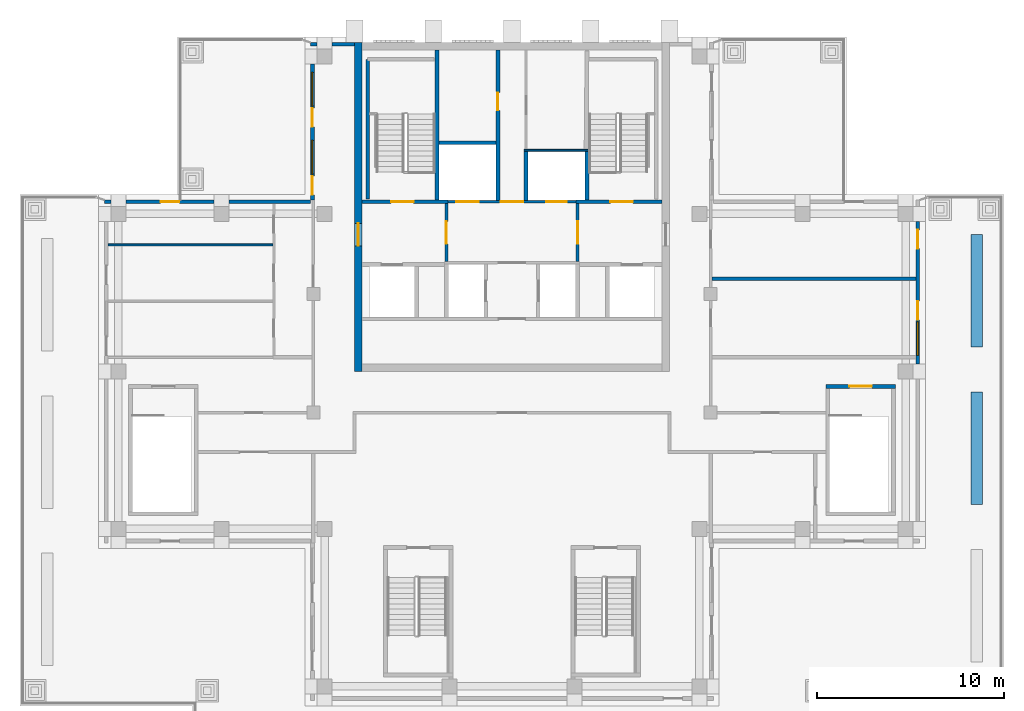
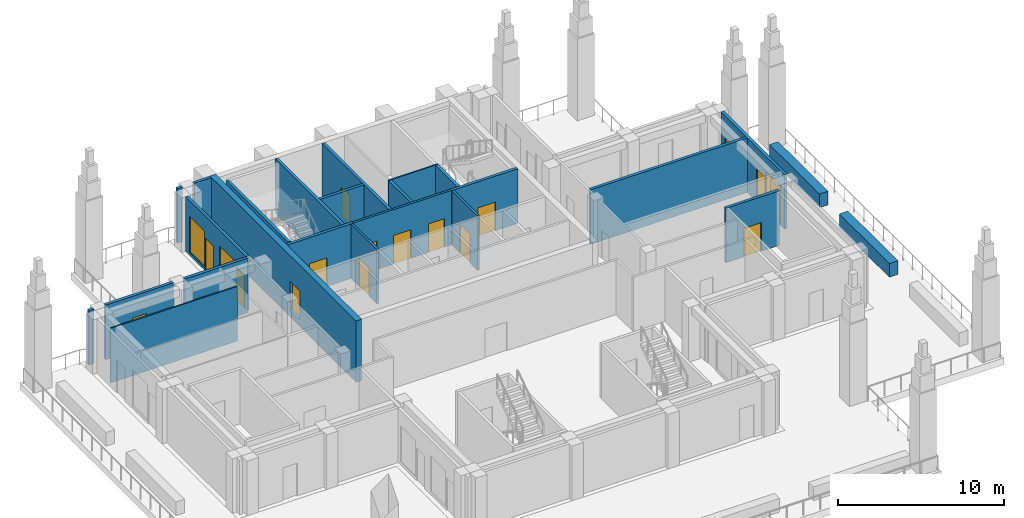
# One storey, part 4 of 10: 25 walls, 15 doors, 3 windows, 18 openings.
"""IFC4 building model written with IfcOpenShell, lengths in metres."""

from ifc_helpers import new_model, si_unit, direction, frame, frame_2d, origin, place, context, subcontext, project, spatial, rectangle, extrude, material, layer, layer_set, type_object, element, fill, save


model = new_model("IFC4")

# Units and contexts
model_context = context("Model", 3, precision=1e-05, world=origin(), true_north=direction((0.0, 1.0)))
body_context = subcontext(model_context, "Body", "Model", "MODEL_VIEW")
ifc_project = project(units=[si_unit("LENGTHUNIT", "METRE"), si_unit("AREAUNIT", "SQUARE_METRE"), si_unit("VOLUMEUNIT", "CUBIC_METRE"), si_unit("PLANEANGLEUNIT", "RADIAN"), si_unit("MASSUNIT", "GRAM", prefix="KILO")], contexts=[model_context])

# Site, building, storey
site_placement = place(None, origin())
site = spatial("IfcSite", under=ifc_project, at=site_placement, CompositionType="ELEMENT")
building_placement = place(site_placement, origin())
building = spatial("IfcBuilding", under=site, at=building_placement, Name="Vermilion Ogive Tower", CompositionType="ELEMENT")
storey_placement = place(building_placement, frame((0.0, 0.0, 269.35009765625)))
storey = spatial("IfcBuildingStorey", under=building, at=storey_placement, Name="L71", CompositionType="ELEMENT", Elevation=269.35009765625)

# Wall, opening, door
ifc_material_1 = material(Name="Concrete B60", Category="concrete")
ifc_layer_1 = layer(ifc_material_1, 0.39990234375)
ifc_layer_set_1 = layer_set([ifc_layer_1], Name="Core wall 400 B60")
wall_type_1 = type_object("IfcWallType", Name="Core wall 400 B60", PredefinedType="SHEAR", material=ifc_layer_set_1)
wall_1_placement = place(storey_placement, frame((-8.199951171875, 4.199951171875, -0.5), z_axis=(0.0, 0.0, 1.0), x_axis=(0.0, 1.0, 0.0)))
wall_1 = element("IfcWall", 1, at=wall_1_placement, inside=storey, type_object=wall_type_1, Name="L71-CORE-W", PredefinedType="SHEAR", context=body_context, shape_type="SweptSolid", body=[
    extrude(rectangle(XDim=17.550048828125, YDim=0.39990234375, at=frame_2d((8.77490234375, 0.0))), origin(), (0.0, 0.0, 1.0), 4.5),
])
opening_1_placement = place(wall_1_placement, frame((6.699951171875, 0.0, 0.5)))
opening_1 = element("IfcOpeningElement", 2, at=opening_1_placement, cuts=wall_1, Name="Opening DAZ001", PredefinedType="OPENING", context=body_context, shape_type="SweptSolid", body=[
    extrude(rectangle(XDim=1.199951171875, YDim=2.10009765625, at=frame_2d((0.60009765625, 1.050048828125))), frame((0.0, 0.2099609375, 0.0), z_axis=(0.0, -1.0, 0.0), x_axis=(1.0, 0.0, 0.0)), (0.0, 0.0, 1.0), 0.419921875),
])
ifc_material_2 = material(Name="Timber door leaf", Category="wood")
door_type_1 = type_object("IfcDoorType", Name="Link door 1200 x 2100 FD60S", OperationType="SINGLE_SWING_LEFT", PredefinedType="DOOR", material=ifc_material_2)
door_1_placement = place(opening_1_placement, origin())
door_1 = element("IfcDoor", 3, at=door_1_placement, inside=storey, type_object=door_type_1, Name="L71-CK-XD1", OperationType="SINGLE_SWING_LEFT", OverallHeight=2.10009765625, OverallWidth=1.199951171875, PredefinedType="DOOR", context=body_context, shape_type="SweptSolid", body=[
    extrude(rectangle(XDim=1.199951171875, YDim=2.10009765625, at=frame_2d((0.60009765625, 1.050048828125))), frame((0.0, 0.02490234375, 0.0), z_axis=(0.0, -1.0, 0.0), x_axis=(1.0, 0.0, 0.0)), (0.0, 0.0, 1.0), 0.050048828125),
])
fill(opening_1, door_1)

# Walls
ifc_material_3 = material(Name="Gypsum board partition on steel studs", Category="steel")
ifc_layer_2 = layer(ifc_material_3, 0.10009765625)
ifc_layer_set_2 = layer_set([ifc_layer_2], Name="Partition 100 bath")
wall_type_2 = type_object("IfcWallType", Name="Partition 100 bath", PredefinedType="PARTITIONING", material=ifc_layer_set_2)
wall_2_placement = place(storey_placement, frame((-21.550048828125, 10.949951171875, 0.0), z_axis=(0.0, 0.0, 1.0), x_axis=(1.0, 0.0, 0.0)))
element("IfcWall", 4, at=wall_2_placement, inside=storey, type_object=wall_type_2, Name="L71-FS-W-W011", PredefinedType="PARTITIONING", context=body_context, shape_type="SweptSolid", body=[
    extrude(rectangle(XDim=8.800048828125, YDim=0.10009765625, at=frame_2d((4.39990234375, 0.0))), origin(), (0.0, 0.0, 1.0), 4.0),
])
wall_3_placement = place(storey_placement, frame((0.64990234375, 16.0, 0.0), z_axis=(0.0, 0.0, 1.0), x_axis=(1.0, 0.0, 0.0)))
element("IfcWall", 5, at=wall_3_placement, inside=storey, type_object=wall_type_2, Name="L71-CK-W-W008", PredefinedType="PARTITIONING", context=body_context, shape_type="SweptSolid", body=[
    extrude(rectangle(XDim=3.4501953125, YDim=0.10009765625, at=frame_2d((1.72509765625, 0.0))), origin(), (0.0, 0.0, 1.0), 4.0),
])

# Wall, openings, doors
ifc_material_4 = material(Name="Gypsum board partition on steel studs", Category="steel")
ifc_layer_3 = layer(ifc_material_4, 0.14990234375)
ifc_layer_set_3 = layer_set([ifc_layer_3], Name="Partition 150 corridor")
wall_type_3 = type_object("IfcWallType", Name="Partition 150 corridor", PredefinedType="PARTITIONING", material=ifc_layer_set_3)
wall_4_placement = place(storey_placement, frame((-3.574951171875, 13.25, 0.0), z_axis=(0.0, 0.0, 1.0), x_axis=(1.0, 0.0, 0.0)))
wall_4 = element("IfcWall", 6, at=wall_4_placement, inside=storey, type_object=wall_type_3, Name="L71-CK-W-W006", PredefinedType="PARTITIONING", context=body_context, shape_type="SweptSolid", body=[
    extrude(rectangle(XDim=7.14990234375, YDim=0.14990234375, at=frame_2d((3.574951171875, 0.0))), origin(), (0.0, 0.0, 1.0), 4.0),
])
opening_2_placement = place(wall_4_placement, frame((0.599853515625, 0.0, 0.0)))
opening_2 = element("IfcOpeningElement", 7, at=opening_2_placement, cuts=wall_4, Name="Opening DAE015", PredefinedType="OPENING", context=body_context, shape_type="SweptSolid", body=[
    extrude(rectangle(XDim=1.199951171875, YDim=2.10009765625, at=frame_2d((0.60009765625, 1.050048828125))), frame((0.0, 0.0849609375, 0.0), z_axis=(0.0, -1.0, 0.0), x_axis=(1.0, 0.0, 0.0)), (0.0, 0.0, 1.0), 0.169921875),
])
opening_3_placement = place(wall_4_placement, frame((5.39990234375, 0.0, 0.0)))
opening_3 = element("IfcOpeningElement", 8, at=opening_3_placement, cuts=wall_4, Name="Opening DAE014", PredefinedType="OPENING", context=body_context, shape_type="SweptSolid", body=[
    extrude(rectangle(XDim=1.10009765625, YDim=2.10009765625, at=frame_2d((0.550048828125, 1.050048828125))), frame((0.0, 0.0849609375, 0.0), z_axis=(0.0, -1.0, 0.0), x_axis=(1.0, 0.0, 0.0)), (0.0, 0.0, 1.0), 0.169921875),
])
opening_4_placement = place(wall_4_placement, frame((2.974853515625, 0.0, 0.0)))
opening_4 = element("IfcOpeningElement", 9, at=opening_4_placement, cuts=wall_4, Name="Opening DAE005", PredefinedType="OPENING", context=body_context, shape_type="SweptSolid", body=[
    extrude(rectangle(XDim=1.199951171875, YDim=2.10009765625, at=frame_2d((0.60009765625, 1.050048828125))), frame((0.0, 0.0849609375, 0.0), z_axis=(0.0, -1.0, 0.0), x_axis=(1.0, 0.0, 0.0)), (0.0, 0.0, 1.0), 0.169921875),
])
ifc_material_5 = material(Name="Stainless steel", Category="steel")
door_type_2 = type_object("IfcDoorType", Name="Lift landing door 1100 x 2100", OperationType="SLIDING_TO_LEFT", PredefinedType="DOOR", material=ifc_material_5)
door_2_placement = place(opening_3_placement, origin())
door_2 = element("IfcDoor", 10, at=door_2_placement, inside=storey, type_object=door_type_2, Name="L71-CK-D-D010", OperationType="SLIDING_TO_LEFT", OverallHeight=2.10009765625, OverallWidth=1.10009765625, PredefinedType="DOOR", context=body_context, shape_type="SweptSolid", body=[
    extrude(rectangle(XDim=1.10009765625, YDim=2.10009765625, at=frame_2d((0.550048828125, 1.050048828125))), frame((0.0, 0.02490234375, 0.0), z_axis=(0.0, -1.0, 0.0), x_axis=(1.0, 0.0, 0.0)), (0.0, 0.0, 1.0), 0.050048828125),
])
fill(opening_3, door_2)
ifc_material_6 = material(Name="Stainless steel", Category="steel")
door_type_3 = type_object("IfcDoorType", Name="Lift landing door 1200 x 2100", OperationType="SLIDING_TO_LEFT", PredefinedType="DOOR", material=ifc_material_6)
door_3_placement = place(opening_2_placement, origin())
door_3 = element("IfcDoor", 11, at=door_3_placement, inside=storey, type_object=door_type_3, Name="L71-CK-D-D009", OperationType="SLIDING_TO_RIGHT", OverallHeight=2.10009765625, OverallWidth=1.199951171875, PredefinedType="DOOR", context=body_context, shape_type="SweptSolid", body=[
    extrude(rectangle(XDim=1.199951171875, YDim=2.10009765625, at=frame_2d((0.60009765625, 1.050048828125))), frame((0.0, 0.02490234375, 0.0), z_axis=(0.0, -1.0, 0.0), x_axis=(1.0, 0.0, 0.0)), (0.0, 0.0, 1.0), 0.050048828125),
])
fill(opening_2, door_3)
ifc_material_7 = material(Name="Timber door leaf", Category="wood")
door_type_4 = type_object("IfcDoorType", Name="Service door 1200 x 2100 FD60", OperationType="SINGLE_SWING_LEFT", PredefinedType="DOOR", material=ifc_material_7)
door_4_placement = place(opening_4_placement, origin())
door_4 = element("IfcDoor", 12, at=door_4_placement, inside=storey, type_object=door_type_4, Name="L71-CK-D-D011", OperationType="SINGLE_SWING_RIGHT", OverallHeight=2.10009765625, OverallWidth=1.199951171875, PredefinedType="DOOR", context=body_context, shape_type="SweptSolid", body=[
    extrude(rectangle(XDim=1.199951171875, YDim=2.10009765625, at=frame_2d((0.60009765625, 1.050048828125))), frame((0.0, 0.02490234375, 0.0), z_axis=(0.0, -1.0, 0.0), x_axis=(1.0, 0.0, 0.0)), (0.0, 0.0, 1.0), 0.050048828125),
])
fill(opening_4, door_4)

# Wall, opening, door
wall_5_placement = place(storey_placement, frame((-3.5, 10.074951171875, 0.0), z_axis=(0.0, 0.0, 1.0), x_axis=(0.0, 1.0, 0.0)))
wall_5 = element("IfcWall", 13, at=wall_5_placement, inside=storey, type_object=wall_type_3, Name="L71-CK-W-W013", PredefinedType="PARTITIONING", context=body_context, shape_type="SweptSolid", body=[
    extrude(rectangle(XDim=3.074951171875, YDim=0.14990234375, at=frame_2d((1.53759765625, 0.0))), origin(), (0.0, 0.0, 1.0), 4.0),
])
opening_5_placement = place(wall_5_placement, frame((0.925048828125, 0.0, 0.0)))
opening_5 = element("IfcOpeningElement", 14, at=opening_5_placement, cuts=wall_5, Name="Opening DAE001", PredefinedType="OPENING", context=body_context, shape_type="SweptSolid", body=[
    extrude(rectangle(XDim=1.199951171875, YDim=2.10009765625, at=frame_2d((0.60009765625, 1.050048828125))), frame((0.0, 0.0849609375, 0.0), z_axis=(0.0, -1.0, 0.0), x_axis=(1.0, 0.0, 0.0)), (0.0, 0.0, 1.0), 0.169921875),
])
ifc_material_8 = material(Name="Timber door leaf", Category="wood")
door_type_5 = type_object("IfcDoorType", Name="Lobby door 1200 x 2100 FD60S", OperationType="SINGLE_SWING_LEFT", PredefinedType="DOOR", material=ifc_material_8)
door_5_placement = place(opening_5_placement, origin())
door_5 = element("IfcDoor", 15, at=door_5_placement, inside=storey, type_object=door_type_5, Name="L71-CK-D-D014", OperationType="SINGLE_SWING_RIGHT", OverallHeight=2.10009765625, OverallWidth=1.199951171875, PredefinedType="DOOR", context=body_context, shape_type="SweptSolid", body=[
    extrude(rectangle(XDim=1.199951171875, YDim=2.10009765625, at=frame_2d((0.60009765625, 1.050048828125))), frame((0.0, 0.02490234375, 0.0), z_axis=(0.0, -1.0, 0.0), x_axis=(1.0, 0.0, 0.0)), (0.0, 0.0, 1.0), 0.050048828125),
])
fill(opening_5, door_5)

wall_6_placement = place(storey_placement, frame((3.5, 10.074951171875, 0.0), z_axis=(0.0, 0.0, 1.0), x_axis=(0.0, 1.0, 0.0)))
wall_6 = element("IfcWall", 16, at=wall_6_placement, inside=storey, type_object=wall_type_3, Name="L71-CK-W-W020", PredefinedType="PARTITIONING", context=body_context, shape_type="SweptSolid", body=[
    extrude(rectangle(XDim=3.074951171875, YDim=0.14990234375, at=frame_2d((1.53759765625, 0.0))), origin(), (0.0, 0.0, 1.0), 4.0),
])
opening_6_placement = place(wall_6_placement, frame((0.925048828125, 0.0, 0.0)))
opening_6 = element("IfcOpeningElement", 17, at=opening_6_placement, cuts=wall_6, Name="Opening DAE002", PredefinedType="OPENING", context=body_context, shape_type="SweptSolid", body=[
    extrude(rectangle(XDim=1.199951171875, YDim=2.10009765625, at=frame_2d((0.60009765625, 1.050048828125))), frame((0.0, 0.0849609375, 0.0), z_axis=(0.0, -1.0, 0.0), x_axis=(1.0, 0.0, 0.0)), (0.0, 0.0, 1.0), 0.169921875),
])
door_6_placement = place(opening_6_placement, origin())
door_6 = element("IfcDoor", 18, at=door_6_placement, inside=storey, type_object=door_type_5, Name="L71-CK-D-D015", OperationType="SINGLE_SWING_LEFT", OverallHeight=2.10009765625, OverallWidth=1.199951171875, PredefinedType="DOOR", context=body_context, shape_type="SweptSolid", body=[
    extrude(rectangle(XDim=1.199951171875, YDim=2.10009765625, at=frame_2d((0.60009765625, 1.050048828125))), frame((0.0, 0.02490234375, 0.0), z_axis=(0.0, -1.0, 0.0), x_axis=(1.0, 0.0, 0.0)), (0.0, 0.0, 1.0), 0.050048828125),
])
fill(opening_6, door_6)

# Walls
ifc_material_9 = material(Name="Gypsum board partition on steel studs", Category="steel")
ifc_layer_4 = layer(ifc_material_9, 0.199951171875)
ifc_layer_set_4 = layer_set([ifc_layer_4], Name="Partition 200 party")
wall_type_4 = type_object("IfcWallType", Name="Partition 200 party", PredefinedType="PARTITIONING", material=ifc_layer_set_4)
wall_7_placement = place(storey_placement, frame((10.675048828125, 9.14990234375, 0.0), z_axis=(0.0, 0.0, 1.0), x_axis=(1.0, 0.0, 0.0)))
element("IfcWall", 19, at=wall_7_placement, inside=storey, type_object=wall_type_4, Name="L71-FS-W-W010", PredefinedType="PARTITIONING", context=body_context, shape_type="SweptSolid", body=[
    extrude(rectangle(XDim=10.875, YDim=0.199951171875, at=frame_2d((5.4375, 0.0))), origin(), (0.0, 0.0, 1.0), 4.0),
])
wall_8_placement = place(storey_placement, frame((-3.89990234375, 16.39990234375, 0.0), z_axis=(0.0, 0.0, 1.0), x_axis=(1.0, 0.0, 0.0)))
element("IfcWall", 20, at=wall_8_placement, inside=storey, type_object=wall_type_4, Name="L71-CK-W-W009", PredefinedType="PARTITIONING", context=body_context, shape_type="SweptSolid", body=[
    extrude(rectangle(XDim=3.0498046875, YDim=0.199951171875, at=frame_2d((1.52490234375, 0.0))), origin(), (0.0, 0.0, 1.0), 4.0),
])

# Wall, opening, door
wall_9_placement = place(storey_placement, frame((-0.75, 13.324951171875, 0.0), z_axis=(0.0, 0.0, 1.0), x_axis=(0.0, 1.0, 0.0)))
wall_9 = element("IfcWall", 21, at=wall_9_placement, inside=storey, type_object=wall_type_4, Name="L71-CK-W-W015", PredefinedType="PARTITIONING", context=body_context, shape_type="SweptSolid", body=[
    extrude(rectangle(XDim=8.024169921875, YDim=0.199951171875, at=frame_2d((4.01220703125, 0.0))), origin(), (0.0, 0.0, 1.0), 4.0),
])
opening_7_placement = place(wall_9_placement, frame((4.800048828125, 0.0, 0.0)))
opening_7 = element("IfcOpeningElement", 22, at=opening_7_placement, cuts=wall_9, Name="Opening DAE006", PredefinedType="OPENING", context=body_context, shape_type="SweptSolid", body=[
    extrude(rectangle(XDim=0.949951171875, YDim=2.10009765625, at=frame_2d((0.47509765625, 1.050048828125))), frame((0.0, 0.10986328125, 0.0), z_axis=(0.0, -1.0, 0.0), x_axis=(1.0, 0.0, 0.0)), (0.0, 0.0, 1.0), 0.219970703125),
])
ifc_material_10 = material(Name="Timber door leaf", Category="wood")
door_type_6 = type_object("IfcDoorType", Name="Service door 950 x 2100 FD60", OperationType="SINGLE_SWING_LEFT", PredefinedType="DOOR", material=ifc_material_10)
door_7_placement = place(opening_7_placement, origin())
door_7 = element("IfcDoor", 23, at=door_7_placement, inside=storey, type_object=door_type_6, Name="L71-CK-D-D012", OperationType="SINGLE_SWING_RIGHT", OverallHeight=2.10009765625, OverallWidth=0.949951171875, PredefinedType="DOOR", context=body_context, shape_type="SweptSolid", body=[
    extrude(rectangle(XDim=0.949951171875, YDim=2.10009765625, at=frame_2d((0.47509765625, 1.050048828125))), frame((0.0, 0.02490234375, 0.0), z_axis=(0.0, -1.0, 0.0), x_axis=(1.0, 0.0, 0.0)), (0.0, 0.0, 1.0), 0.050048828125),
])
fill(opening_7, door_7)

# Wall
wall_10_placement = place(storey_placement, frame((0.75, 13.324951171875, 0.0), z_axis=(0.0, 0.0, 1.0), x_axis=(0.0, 1.0, 0.0)))
element("IfcWall", 24, at=wall_10_placement, inside=storey, type_object=wall_type_4, Name="L71-CK-W-W016", PredefinedType="PARTITIONING", context=body_context, shape_type="SweptSolid", body=[
    extrude(rectangle(XDim=2.625, YDim=0.199951171875, at=frame_2d((1.3125, 0.0))), origin(), (0.0, 0.0, 1.0), 4.0),
])

# Wall, opening, door
ifc_material_11 = material(Name="Concrete B60", Category="concrete")
ifc_layer_5 = layer(ifc_material_11, 0.199951171875)
ifc_layer_set_5 = layer_set([ifc_layer_5], Name="Stair enclosure wall 200 Concrete B60")
wall_type_5 = type_object("IfcWallType", Name="Stair enclosure wall 200 Concrete B60", PredefinedType="PARTITIONING", material=ifc_layer_set_5)
wall_11_placement = place(storey_placement, frame((16.75, 3.39990234375, 0.0), z_axis=(0.0, 0.0, 1.0), x_axis=(1.0, 0.0, 0.0)))
wall_11 = element("IfcWall", 25, at=wall_11_placement, inside=storey, type_object=wall_type_5, Name="L71-SW-ST8-N1", PredefinedType="PARTITIONING", context=body_context, shape_type="SweptSolid", body=[
    extrude(rectangle(XDim=3.699951171875, YDim=0.199951171875, at=frame_2d((1.85009765625, 0.0))), origin(), (0.0, 0.0, 1.0), 4.0),
])
opening_8_placement = place(wall_11_placement, frame((1.25, 0.0, 0.0)))
opening_8 = element("IfcOpeningElement", 26, at=opening_8_placement, cuts=wall_11, Name="Opening L71-SD8", PredefinedType="OPENING", context=body_context, shape_type="SweptSolid", body=[
    extrude(rectangle(XDim=1.199951171875, YDim=2.10009765625, at=frame_2d((0.60009765625, 1.050048828125))), frame((0.0, 0.10986328125, 0.0), z_axis=(0.0, -1.0, 0.0), x_axis=(1.0, 0.0, 0.0)), (0.0, 0.0, 1.0), 0.219970703125),
])
ifc_material_12 = material(Name="Timber door leaf", Category="wood")
door_type_7 = type_object("IfcDoorType", Name="Stair door 1200 x 2100 FD60S", OperationType="SINGLE_SWING_LEFT", PredefinedType="DOOR", material=ifc_material_12)
door_8_placement = place(opening_8_placement, origin())
door_8 = element("IfcDoor", 27, at=door_8_placement, inside=storey, type_object=door_type_7, Name="Stair door ST8", OperationType="SINGLE_SWING_LEFT", OverallHeight=2.10009765625, OverallWidth=1.199951171875, PredefinedType="DOOR", context=body_context, shape_type="SweptSolid", body=[
    extrude(rectangle(XDim=1.199951171875, YDim=2.10009765625, at=frame_2d((0.60009765625, 1.050048828125))), frame((0.0, 0.02490234375, 0.0), z_axis=(0.0, -1.0, 0.0), x_axis=(1.0, 0.0, 0.0)), (0.0, 0.0, 1.0), 0.050048828125),
])
fill(opening_8, door_8)

ifc_material_13 = material(Name="Concrete B60", Category="concrete")
ifc_layer_6 = layer(ifc_material_13, 0.199951171875)
ifc_layer_set_6 = layer_set([ifc_layer_6], Name="Stair shaft wall 200 Concrete B60")
wall_type_6 = type_object("IfcWallType", Name="Stair shaft wall 200 Concrete B60", PredefinedType="SOLIDWALL", material=ifc_layer_set_6)
wall_12_placement = place(storey_placement, frame((-7.9990234375, 13.25, 0.0), z_axis=(0.0, 0.0, 1.0), x_axis=(1.0, 0.0, 0.0)))
wall_12 = element("IfcWall", 28, at=wall_12_placement, inside=storey, type_object=wall_type_6, Name="L71-CK-W-W005", PredefinedType="SOLIDWALL", context=body_context, shape_type="SweptSolid", body=[
    extrude(rectangle(XDim=4.573974609375, YDim=0.199951171875, at=frame_2d((2.287109375, 0.0))), origin(), (0.0, 0.0, 1.0), 4.0),
])
opening_9_placement = place(wall_12_placement, frame((1.549072265625, 0.0, 0.0)))
opening_9 = element("IfcOpeningElement", 29, at=opening_9_placement, cuts=wall_12, Name="Opening DAE008", PredefinedType="OPENING", context=body_context, shape_type="SweptSolid", body=[
    extrude(rectangle(XDim=1.199951171875, YDim=2.10009765625, at=frame_2d((0.60009765625, 1.050048828125))), frame((0.0, 0.10986328125, 0.0), z_axis=(0.0, -1.0, 0.0), x_axis=(1.0, 0.0, 0.0)), (0.0, 0.0, 1.0), 0.219970703125),
])
door_9_placement = place(opening_9_placement, origin())
door_9 = element("IfcDoor", 30, at=door_9_placement, inside=storey, type_object=door_type_7, Name="L71-CK-D-D001", OperationType="SINGLE_SWING_LEFT", OverallHeight=2.10009765625, OverallWidth=1.199951171875, PredefinedType="DOOR", context=body_context, shape_type="SweptSolid", body=[
    extrude(rectangle(XDim=1.199951171875, YDim=2.10009765625, at=frame_2d((0.60009765625, 1.050048828125))), frame((0.0, 0.02490234375, 0.0), z_axis=(0.0, -1.0, 0.0), x_axis=(1.0, 0.0, 0.0)), (0.0, 0.0, 1.0), 0.050048828125),
])
fill(opening_9, door_9)

wall_13_placement = place(storey_placement, frame((3.425048828125, 13.25, 0.0), z_axis=(0.0, 0.0, 1.0), x_axis=(1.0, 0.0, 0.0)))
wall_13 = element("IfcWall", 31, at=wall_13_placement, inside=storey, type_object=wall_type_6, Name="L71-CK-W-W007", PredefinedType="SOLIDWALL", context=body_context, shape_type="SweptSolid", body=[
    extrude(rectangle(XDim=4.573974609375, YDim=0.199951171875, at=frame_2d((2.287109375, 0.0))), origin(), (0.0, 0.0, 1.0), 4.0),
])
opening_10_placement = place(wall_13_placement, frame((1.824951171875, 0.0, 0.0)))
opening_10 = element("IfcOpeningElement", 32, at=opening_10_placement, cuts=wall_13, Name="Opening DAE009", PredefinedType="OPENING", context=body_context, shape_type="SweptSolid", body=[
    extrude(rectangle(XDim=1.199951171875, YDim=2.10009765625, at=frame_2d((0.60009765625, 1.050048828125))), frame((0.0, 0.10986328125, 0.0), z_axis=(0.0, -1.0, 0.0), x_axis=(1.0, 0.0, 0.0)), (0.0, 0.0, 1.0), 0.219970703125),
])
door_10_placement = place(opening_10_placement, origin())
door_10 = element("IfcDoor", 33, at=door_10_placement, inside=storey, type_object=door_type_7, Name="L71-CK-D-D003", OperationType="SINGLE_SWING_RIGHT", OverallHeight=2.10009765625, OverallWidth=1.199951171875, PredefinedType="DOOR", context=body_context, shape_type="SweptSolid", body=[
    extrude(rectangle(XDim=1.199951171875, YDim=2.10009765625, at=frame_2d((0.60009765625, 1.050048828125))), frame((0.0, 0.02490234375, 0.0), z_axis=(0.0, -1.0, 0.0), x_axis=(1.0, 0.0, 0.0)), (0.0, 0.0, 1.0), 0.050048828125),
])
fill(opening_10, door_10)

# Walls
wall_14_placement = place(storey_placement, frame((-4.0, 13.35009765625, 0.0), z_axis=(0.0, 0.0, 1.0), x_axis=(0.0, 1.0, 0.0)))
element("IfcWall", 34, at=wall_14_placement, inside=storey, type_object=wall_type_6, Name="L71-CK-W-W011", PredefinedType="SOLIDWALL", context=body_context, shape_type="SweptSolid", body=[
    extrude(rectangle(XDim=7.9990234375, YDim=0.199951171875, at=frame_2d((3.99951171875, 0.0))), origin(), (0.0, 0.0, 1.0), 4.0),
])
wall_15_placement = place(storey_placement, frame((4.0, 13.35009765625, 0.0), z_axis=(0.0, 0.0, 1.0), x_axis=(0.0, 1.0, 0.0)))
element("IfcWall", 35, at=wall_15_placement, inside=storey, type_object=wall_type_6, Name="L71-CK-W-W021", PredefinedType="SOLIDWALL", context=body_context, shape_type="SweptSolid", body=[
    extrude(rectangle(XDim=2.599853515625, YDim=0.199951171875, at=frame_2d((1.2998046875, 0.0))), origin(), (0.0, 0.0, 1.0), 4.0),
])
wall_16_placement = place(storey_placement, frame((-7.699951171875, 13.39990234375, 0.0), z_axis=(0.0, 0.0, 1.0), x_axis=(0.0, 1.0, 0.0)))
element("IfcWall", 36, at=wall_16_placement, inside=storey, type_object=wall_type_6, Name="L71-SW-R003-W1", PredefinedType="SOLIDWALL", context=body_context, shape_type="SweptSolid", body=[
    extrude(rectangle(XDim=7.4501953125, YDim=0.199951171875, at=frame_2d((3.72509765625, 0.0))), origin(), (0.0, 0.0, 1.0), 4.0),
])
ifc_material_14 = material(Name="Concrete B40", Category="concrete")
ifc_layer_7 = layer(ifc_material_14, 0.60009765625)
ifc_layer_set_7 = layer_set([ifc_layer_7], Name="Terrace planter")
wall_type_7 = type_object("IfcWallType", Name="Terrace planter", PredefinedType="USERDEFINED", material=ifc_layer_set_7)
for number, where, z_axis, x_axis, name in (
    (37, (24.800048828125, 11.5, 0.0), (0.0, 0.0, 1.0), (0.0, -1.0, 0.0), "Terrace planter 1.1.1"),
    (38, (24.800048828125, 3.10009765625, 0.0), (0.0, 0.0, 1.0), (0.0, -1.0, 0.0), "Terrace planter 1.1.2"),
):
    element("IfcWall", number, at=place(storey_placement, frame(where, z_axis=z_axis, x_axis=x_axis)), inside=storey, type_object=wall_type_7, Name=name, ObjectType="PLANTER", PredefinedType="USERDEFINED", context=body_context, shape_type="SweptSolid", body=[
        extrude(rectangle(XDim=6.0, YDim=0.60009765625, at=frame_2d((3.0, 0.0))), origin(), (0.0, 0.0, 1.0), 1.0),
    ])

# Wall, openings, doors, window
ifc_material_15 = material(Name="Aluminium window wall framing", Category="aluminium")
ifc_layer_8 = layer(ifc_material_15, 0.199951171875)
ifc_layer_set_8 = layer_set([ifc_layer_8], Name="Window wall")
wall_type_8 = type_object("IfcWallType", Name="Window wall", PredefinedType="STANDARD", material=ifc_layer_set_8)
wall_17_placement = place(storey_placement, frame((21.64990234375, 4.60009765625, 0.0), z_axis=(0.0, 0.0, 1.0), x_axis=(0.0, 1.0, 0.0)))
wall_17 = element("IfcWall", 39, at=wall_17_placement, inside=storey, type_object=wall_type_8, Name="Window wall E2", PredefinedType="STANDARD", context=body_context, shape_type="SweptSolid", body=[
    extrude(rectangle(XDim=7.599853515625, YDim=0.199951171875, at=frame_2d((3.7998046875, 0.0))), origin(), (0.0, 0.0, 1.0), 4.0),
])
opening_11_placement = place(wall_17_placement, frame((0.449951171875, 0.0, 0.199951171875)))
opening_11 = element("IfcOpeningElement", 40, at=opening_11_placement, cuts=wall_17, Name="Opening W1-E01", PredefinedType="OPENING", context=body_context, shape_type="SweptSolid", body=[
    extrude(rectangle(XDim=1.800048828125, YDim=2.64990234375, at=frame_2d((0.89990234375, 1.324951171875))), frame((0.0, 0.10986328125, 0.0), z_axis=(0.0, -1.0, 0.0), x_axis=(1.0, 0.0, 0.0)), (0.0, 0.0, 1.0), 0.219970703125),
])
opening_12_placement = place(wall_17_placement, frame((2.35009765625, 0.0, 0.0)))
opening_12 = element("IfcOpeningElement", 41, at=opening_12_placement, cuts=wall_17, Name="Opening D1-E01", PredefinedType="OPENING", context=body_context, shape_type="SweptSolid", body=[
    extrude(rectangle(XDim=1.0, YDim=2.39990234375, at=frame_2d((0.5, 1.199951171875))), frame((0.0, 0.10986328125, 0.0), z_axis=(0.0, -1.0, 0.0), x_axis=(1.0, 0.0, 0.0)), (0.0, 0.0, 1.0), 0.219970703125),
])
opening_13_placement = place(wall_17_placement, frame((6.14990234375, 0.0, 0.0)))
opening_13 = element("IfcOpeningElement", 42, at=opening_13_placement, cuts=wall_17, Name="Opening D1-E02", PredefinedType="OPENING", context=body_context, shape_type="SweptSolid", body=[
    extrude(rectangle(XDim=1.0, YDim=2.39990234375, at=frame_2d((0.5, 1.199951171875))), frame((0.0, 0.10986328125, 0.0), z_axis=(0.0, -1.0, 0.0), x_axis=(1.0, 0.0, 0.0)), (0.0, 0.0, 1.0), 0.219970703125),
])
ifc_material_16 = material(Name="Aluminium framed glazed door", Category="aluminium")
door_type_8 = type_object("IfcDoorType", Name="Balcony door D1", OperationType="SINGLE_SWING_LEFT", PredefinedType="DOOR", material=ifc_material_16)
door_11_placement = place(opening_12_placement, origin())
door_11 = element("IfcDoor", 43, at=door_11_placement, inside=storey, type_object=door_type_8, Name="Balcony door E01", OperationType="SINGLE_SWING_LEFT", OverallHeight=2.39990234375, OverallWidth=1.0, PredefinedType="DOOR", context=body_context, shape_type="SweptSolid", body=[
    extrude(rectangle(XDim=1.0, YDim=2.39990234375, at=frame_2d((0.5, 1.199951171875))), frame((0.0, 0.02490234375, 0.0), z_axis=(0.0, -1.0, 0.0), x_axis=(1.0, 0.0, 0.0)), (0.0, 0.0, 1.0), 0.050048828125),
])
fill(opening_12, door_11)
door_12_placement = place(opening_13_placement, origin())
door_12 = element("IfcDoor", 44, at=door_12_placement, inside=storey, type_object=door_type_8, Name="Balcony door E02", OperationType="SINGLE_SWING_LEFT", OverallHeight=2.39990234375, OverallWidth=1.0, PredefinedType="DOOR", context=body_context, shape_type="SweptSolid", body=[
    extrude(rectangle(XDim=1.0, YDim=2.39990234375, at=frame_2d((0.5, 1.199951171875))), frame((0.0, 0.02490234375, 0.0), z_axis=(0.0, -1.0, 0.0), x_axis=(1.0, 0.0, 0.0)), (0.0, 0.0, 1.0), 0.050048828125),
])
fill(opening_13, door_12)
ifc_material_17 = material(Name="Aluminium framed double glazing", Category="aluminium")
window_type = type_object("IfcWindowType", Name="Guest window W1", PartitioningType="SINGLE_PANEL", PredefinedType="WINDOW", material=ifc_material_17)
window_1_placement = place(opening_11_placement, origin())
window_1 = element("IfcWindow", 45, at=window_1_placement, inside=storey, type_object=window_type, Name="Window E01", OverallHeight=2.64990234375, OverallWidth=1.800048828125, PartitioningType="SINGLE_PANEL", PredefinedType="WINDOW", context=body_context, shape_type="SweptSolid", body=[
    extrude(rectangle(XDim=1.800048828125, YDim=2.64990234375, at=frame_2d((0.89990234375, 1.324951171875))), frame((0.0, 0.030029296875, 0.0), z_axis=(0.0, -1.0, 0.0), x_axis=(1.0, 0.0, 0.0)), (0.0, 0.0, 1.0), 0.06005859375),
])
fill(opening_11, window_1)

# Walls
wall_18_placement = place(storey_placement, frame((-8.39990234375, 21.64990234375, 0.0), z_axis=(0.0, 0.0, 1.0), x_axis=(-1.0, 0.0, 0.0)))
element("IfcWall", 46, at=wall_18_placement, inside=storey, type_object=wall_type_8, Name="Window wall N21", PredefinedType="STANDARD", context=body_context, shape_type="SweptSolid", body=[
    extrude(rectangle(XDim=1.2001953125, YDim=0.199951171875, at=frame_2d((0.60009765625, 0.0))), origin(), (0.0, 0.0, 1.0), 4.0),
])
wall_19_placement = place(storey_placement, frame((-10.39990234375, 21.64990234375, 0.0), z_axis=(0.0, 0.0, 1.0), x_axis=(-1.0, 0.0, 0.0)))
element("IfcWall", 47, at=wall_19_placement, inside=storey, type_object=wall_type_8, Name="Window wall N22", PredefinedType="STANDARD", context=body_context, shape_type="SweptSolid", body=[
    extrude(rectangle(XDim=0.35009765625, YDim=0.199951171875, at=frame_2d((0.175048828125, 0.0))), origin(), (0.0, 0.0, 1.0), 4.0),
])

# Wall, openings, doors, windows
wall_20_placement = place(storey_placement, frame((-10.64990234375, 20.60009765625, 0.0), z_axis=(0.0, 0.0, 1.0), x_axis=(0.0, -1.0, 0.0)))
wall_20 = element("IfcWall", 48, at=wall_20_placement, inside=storey, type_object=wall_type_8, Name="Window wall X51", PredefinedType="STANDARD", context=body_context, shape_type="SweptSolid", body=[
    extrude(rectangle(XDim=7.25, YDim=0.199951171875, at=frame_2d((3.625, 0.0))), origin(), (0.0, 0.0, 1.0), 4.0),
])
opening_14_placement = place(wall_20_placement, frame((4.074951171875, 0.0, 0.199951171875)))
opening_14 = element("IfcOpeningElement", 49, at=opening_14_placement, cuts=wall_20, Name="Opening W1-X503", PredefinedType="OPENING", context=body_context, shape_type="SweptSolid", body=[
    extrude(rectangle(XDim=1.800048828125, YDim=2.64990234375, at=frame_2d((0.89990234375, 1.324951171875))), frame((0.0, 0.10986328125, 0.0), z_axis=(0.0, -1.0, 0.0), x_axis=(1.0, 0.0, 0.0)), (0.0, 0.0, 1.0), 0.219970703125),
])
opening_15_placement = place(wall_20_placement, frame((5.97509765625, 0.0, 0.0)))
opening_15 = element("IfcOpeningElement", 50, at=opening_15_placement, cuts=wall_20, Name="Opening D1-X503", PredefinedType="OPENING", context=body_context, shape_type="SweptSolid", body=[
    extrude(rectangle(XDim=1.0, YDim=2.39990234375, at=frame_2d((0.5, 1.199951171875))), frame((0.0, 0.10986328125, 0.0), z_axis=(0.0, -1.0, 0.0), x_axis=(1.0, 0.0, 0.0)), (0.0, 0.0, 1.0), 0.219970703125),
])
opening_16_placement = place(wall_20_placement, frame((0.449951171875, 0.0, 0.199951171875)))
opening_16 = element("IfcOpeningElement", 51, at=opening_16_placement, cuts=wall_20, Name="Opening W1-X504", PredefinedType="OPENING", context=body_context, shape_type="SweptSolid", body=[
    extrude(rectangle(XDim=1.800048828125, YDim=2.64990234375, at=frame_2d((0.89990234375, 1.324951171875))), frame((0.0, 0.10986328125, 0.0), z_axis=(0.0, -1.0, 0.0), x_axis=(1.0, 0.0, 0.0)), (0.0, 0.0, 1.0), 0.219970703125),
])
opening_17_placement = place(wall_20_placement, frame((2.35009765625, 0.0, 0.0)))
opening_17 = element("IfcOpeningElement", 52, at=opening_17_placement, cuts=wall_20, Name="Opening D1-X504", PredefinedType="OPENING", context=body_context, shape_type="SweptSolid", body=[
    extrude(rectangle(XDim=1.0, YDim=2.39990234375, at=frame_2d((0.5, 1.199951171875))), frame((0.0, 0.10986328125, 0.0), z_axis=(0.0, -1.0, 0.0), x_axis=(1.0, 0.0, 0.0)), (0.0, 0.0, 1.0), 0.219970703125),
])
door_13_placement = place(opening_15_placement, origin())
door_13 = element("IfcDoor", 53, at=door_13_placement, inside=storey, type_object=door_type_8, Name="Balcony door X503", OperationType="SINGLE_SWING_LEFT", OverallHeight=2.39990234375, OverallWidth=1.0, PredefinedType="DOOR", context=body_context, shape_type="SweptSolid", body=[
    extrude(rectangle(XDim=1.0, YDim=2.39990234375, at=frame_2d((0.5, 1.199951171875))), frame((0.0, 0.02490234375, 0.0), z_axis=(0.0, -1.0, 0.0), x_axis=(1.0, 0.0, 0.0)), (0.0, 0.0, 1.0), 0.050048828125),
])
fill(opening_15, door_13)
door_14_placement = place(opening_17_placement, origin())
door_14 = element("IfcDoor", 54, at=door_14_placement, inside=storey, type_object=door_type_8, Name="Balcony door X504", OperationType="SINGLE_SWING_LEFT", OverallHeight=2.39990234375, OverallWidth=1.0, PredefinedType="DOOR", context=body_context, shape_type="SweptSolid", body=[
    extrude(rectangle(XDim=1.0, YDim=2.39990234375, at=frame_2d((0.5, 1.199951171875))), frame((0.0, 0.02490234375, 0.0), z_axis=(0.0, -1.0, 0.0), x_axis=(1.0, 0.0, 0.0)), (0.0, 0.0, 1.0), 0.050048828125),
])
fill(opening_17, door_14)
window_2_placement = place(opening_14_placement, origin())
window_2 = element("IfcWindow", 55, at=window_2_placement, inside=storey, type_object=window_type, Name="Window X503", OverallHeight=2.64990234375, OverallWidth=1.800048828125, PartitioningType="SINGLE_PANEL", PredefinedType="WINDOW", context=body_context, shape_type="SweptSolid", body=[
    extrude(rectangle(XDim=1.800048828125, YDim=2.64990234375, at=frame_2d((0.89990234375, 1.324951171875))), frame((0.0, 0.030029296875, 0.0), z_axis=(0.0, -1.0, 0.0), x_axis=(1.0, 0.0, 0.0)), (0.0, 0.0, 1.0), 0.06005859375),
])
fill(opening_14, window_2)
window_3_placement = place(opening_16_placement, origin())
window_3 = element("IfcWindow", 56, at=window_3_placement, inside=storey, type_object=window_type, Name="Window X504", OverallHeight=2.64990234375, OverallWidth=1.800048828125, PartitioningType="SINGLE_PANEL", PredefinedType="WINDOW", context=body_context, shape_type="SweptSolid", body=[
    extrude(rectangle(XDim=1.800048828125, YDim=2.64990234375, at=frame_2d((0.89990234375, 1.324951171875))), frame((0.0, 0.030029296875, 0.0), z_axis=(0.0, -1.0, 0.0), x_axis=(1.0, 0.0, 0.0)), (0.0, 0.0, 1.0), 0.06005859375),
])
fill(opening_16, window_3)

# Wall
wall_21_placement = place(storey_placement, frame((-10.75, 13.25, 0.0), z_axis=(0.0, 0.0, 1.0), x_axis=(-1.0, 0.0, 0.0)))
element("IfcWall", 57, at=wall_21_placement, inside=storey, type_object=wall_type_8, Name="Window wall X61", PredefinedType="STANDARD", context=body_context, shape_type="SweptSolid", body=[
    extrude(rectangle(XDim=4.35009765625, YDim=0.199951171875, at=frame_2d((2.175048828125, 0.0))), origin(), (0.0, 0.0, 1.0), 4.0),
])

# Wall, opening, door
wall_22_placement = place(storey_placement, frame((-15.89990234375, 13.25, 0.0), z_axis=(0.0, 0.0, 1.0), x_axis=(-1.0, 0.0, 0.0)))
wall_22 = element("IfcWall", 58, at=wall_22_placement, inside=storey, type_object=wall_type_8, Name="Window wall X62", PredefinedType="STANDARD", context=body_context, shape_type="SweptSolid", body=[
    extrude(rectangle(XDim=4.7001953125, YDim=0.199951171875, at=frame_2d((2.35009765625, 0.0))), origin(), (0.0, 0.0, 1.0), 4.0),
])
opening_18_placement = place(wall_22_placement, frame((1.85009765625, 0.0, 0.0)))
opening_18 = element("IfcOpeningElement", 59, at=opening_18_placement, cuts=wall_22, Name="Opening D1-X6X", PredefinedType="OPENING", context=body_context, shape_type="SweptSolid", body=[
    extrude(rectangle(XDim=1.0, YDim=2.39990234375, at=frame_2d((0.5, 1.199951171875))), frame((0.0, 0.10986328125, 0.0), z_axis=(0.0, -1.0, 0.0), x_axis=(1.0, 0.0, 0.0)), (0.0, 0.0, 1.0), 0.219970703125),
])
door_15_placement = place(opening_18_placement, origin())
door_15 = element("IfcDoor", 60, at=door_15_placement, inside=storey, type_object=door_type_8, Name="Balcony door X6X", OperationType="SINGLE_SWING_LEFT", OverallHeight=2.39990234375, OverallWidth=1.0, PredefinedType="DOOR", context=body_context, shape_type="SweptSolid", body=[
    extrude(rectangle(XDim=1.0, YDim=2.39990234375, at=frame_2d((0.5, 1.199951171875))), frame((0.0, 0.02490234375, 0.0), z_axis=(0.0, -1.0, 0.0), x_axis=(1.0, 0.0, 0.0)), (0.0, 0.0, 1.0), 0.050048828125),
])
fill(opening_18, door_15)

# Wall
wall_23_placement = place(storey_placement, frame((-21.39990234375, 13.25, 0.0), z_axis=(0.0, 0.0, 1.0), x_axis=(-1.0, 0.0, 0.0)))
element("IfcWall", 61, at=wall_23_placement, inside=storey, type_object=wall_type_8, Name="Window wall X63", PredefinedType="STANDARD", context=body_context, shape_type="SweptSolid", body=[
    extrude(rectangle(XDim=0.35009765625, YDim=0.199951171875, at=frame_2d((0.175048828125, 0.0))), origin(), (0.0, 0.0, 1.0), 4.0),
])

save(model, "model.ifc")
